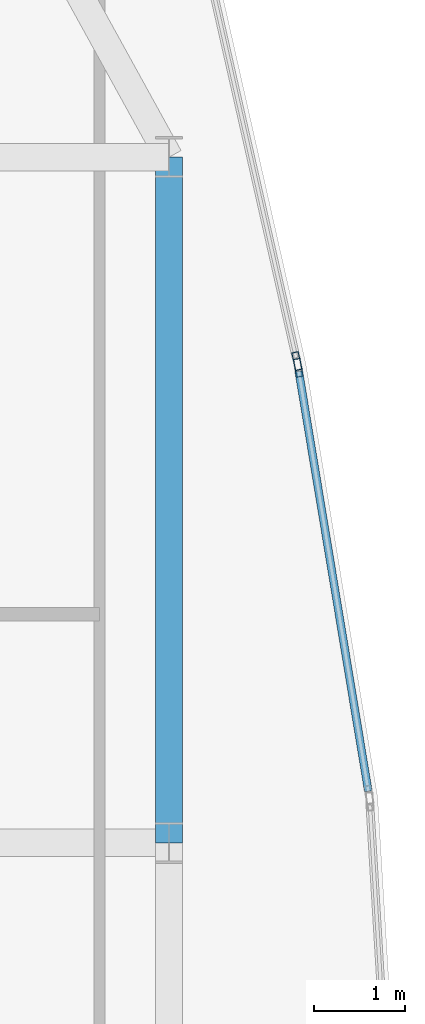
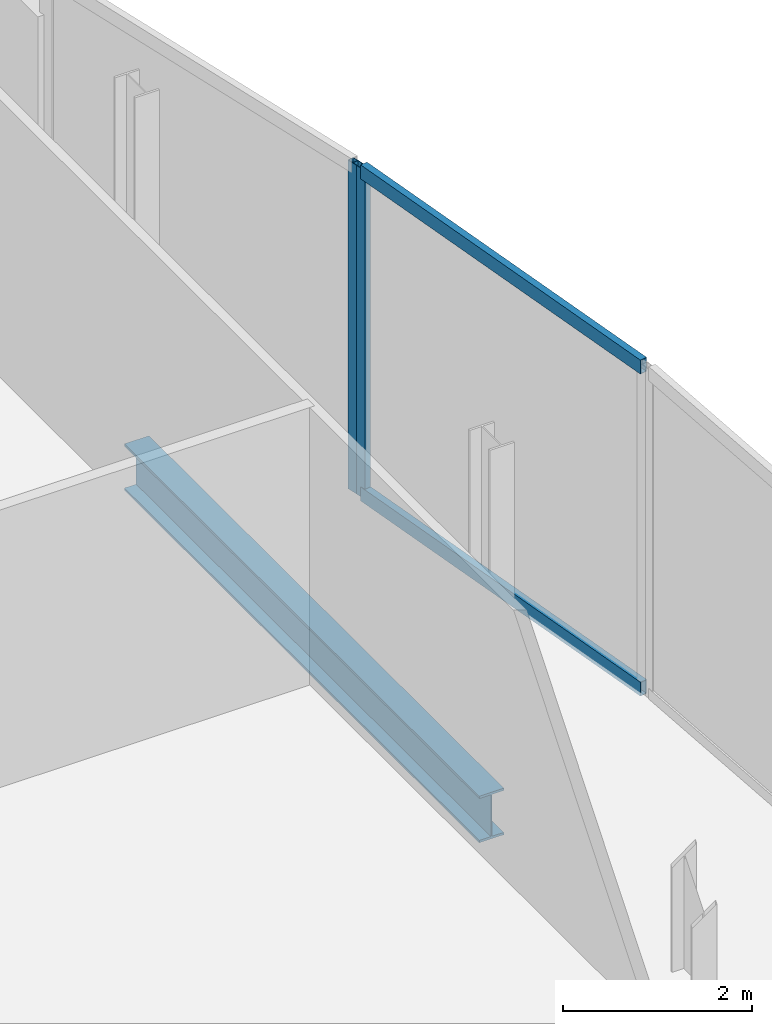
# One storey, part 19 of 28: 4 members, 1 beam, 2 elements without a shape of their own.
"""IFC4 building model written with IfcOpenShell, lengths in metres."""

from ifc_helpers import new_model, si_unit, direction, frame, origin, origin_2d, place, context, subcontext, project, spatial, hollow_rectangle, i_section, extrude, material, material_profile, profile_set, type_object, element, aggregate, save


model = new_model("IFC4")

# Units and contexts
model_context = context("Model", 3, precision=1e-05, world=origin(), true_north=direction((0.0, 1.0)))
body_context = subcontext(model_context, "Body", "Model", "MODEL_VIEW")
ifc_project = project(units=[si_unit("LENGTHUNIT", "METRE"), si_unit("AREAUNIT", "SQUARE_METRE"), si_unit("VOLUMEUNIT", "CUBIC_METRE"), si_unit("PLANEANGLEUNIT", "RADIAN"), si_unit("MASSUNIT", "GRAM", prefix="KILO")], contexts=[model_context])

# Site, building, storey
site_placement = place(None, origin())
site = spatial("IfcSite", under=ifc_project, at=site_placement, CompositionType="ELEMENT")
building_placement = place(site_placement, origin())
building = spatial("IfcBuilding", under=site, at=building_placement, Name="Khoronbel Lancet Exchange", CompositionType="ELEMENT")
storey_placement = place(building_placement, frame((0.0, 0.0, 265.39990234375)))
storey = spatial("IfcBuildingStorey", under=building, at=storey_placement, Name="L68", CompositionType="ELEMENT", Elevation=265.39990234375)

# Beam
ifc_material_1 = material(Name="Steel S355", Category="steel")
ifc_material_profile_1 = material_profile(ifc_material_1, i_section(OverallWidth=0.300048828125, OverallDepth=0.60009765625, WebThickness=0.015380859375, FlangeThickness=0.030029296875, at=origin_2d()), Name="HEB 600")
ifc_profile_set_1 = profile_set([ifc_material_profile_1], Name="Steel S355")
beam_type = type_object("IfcBeamType", Name="BM-BSP2", PredefinedType="SPANDREL", material=ifc_profile_set_1)
beam_placement = place(storey_placement, frame((63.6298828125, 35.699951171875, -0.5), z_axis=(0.0, 1.0, 0.0), x_axis=(-1.0, 0.0, 0.0)))
element("IfcBeam", 1, at=beam_placement, inside=storey, type_object=beam_type, Name="Level L68 perimeter spandrel beam SP14", PredefinedType="SPANDREL", context=body_context, shape_type="SweptSolid", body=[
    extrude(i_section(OverallWidth=0.300048828125, OverallDepth=0.60009765625, WebThickness=0.015380859375, FlangeThickness=0.030029296875, at=origin_2d()), origin(), (0.0, 0.0, 1.0), 7.5),
])

# Curtain wall, member
ifc_material_2 = material(Name="Low-E Solar Control Insulating Glass", Category="glass")
curtain_wall_type = type_object("IfcCurtainWallType", Name="CW-4", PredefinedType="NOTDEFINED", material=ifc_material_2)
curtain_wall_1_placement = place(storey_placement, origin())
curtain_wall_1 = element("IfcCurtainWall", 2, at=curtain_wall_1_placement, inside=storey, type_object=curtain_wall_type, Name="Unitised curtain wall CW-L68-E17", PredefinedType="NOTDEFINED")
ifc_material_3 = material(Name="Bronze-Anodised Aluminium 6063-T6", Category="aluminium")
ifc_material_profile_2 = material_profile(ifc_material_3, hollow_rectangle(XDim=0.074951171875, YDim=0.199951171875, WallThickness=0.0048828125, at=origin_2d()), Name="ALU MULLION 75x200")
ifc_profile_set_2 = profile_set([ifc_material_profile_2], Name="Bronze-Anodised Aluminium 6063-T6")
member_type_1 = type_object("IfcMemberType", Name="MEM-CWM2", PredefinedType="MULLION", material=ifc_profile_set_2)
member_1_placement = place(storey_placement, frame((65.0283203125, 40.96923828125, 0.0), z_axis=(0.0, 0.0, 1.0), x_axis=(0.97533545571, 0.220727770874, 0.0)))
member_1 = element("IfcMember", 3, at=member_1_placement, type_object=member_type_1, Name="CW4 mullion 2", PredefinedType="MULLION", context=body_context, shape_type="SweptSolid", body=[
    extrude(hollow_rectangle(XDim=0.074951171875, YDim=0.199951171875, WallThickness=0.0048828125, at=origin_2d()), origin(), (0.0, 0.0, 1.0), 4.239990234375),
])
aggregate(curtain_wall_1, [member_1])

# Curtain wall, members
curtain_wall_2_placement = place(storey_placement, origin())
curtain_wall_2 = element("IfcCurtainWall", 4, at=curtain_wall_2_placement, inside=storey, type_object=curtain_wall_type, Name="Unitised curtain wall CW-L68-E18", PredefinedType="NOTDEFINED")
member_2_placement = place(storey_placement, frame((65.042724609375, 40.895751953125, 0.0), z_axis=(0.0, 0.0, 1.0), x_axis=(0.986550884803, 0.163454433086, 0.0)))
member_2 = element("IfcMember", 5, at=member_2_placement, type_object=member_type_1, Name="CW4 mullion 1", PredefinedType="MULLION", context=body_context, shape_type="SweptSolid", body=[
    extrude(hollow_rectangle(XDim=0.074951171875, YDim=0.199951171875, WallThickness=0.0048828125, at=origin_2d()), origin(), (0.0, 0.0, 1.0), 4.239990234375),
])
ifc_material_profile_3 = material_profile(ifc_material_3, hollow_rectangle(XDim=0.0849609375, YDim=0.179931640625, WallThickness=0.0048828125, at=origin_2d()), Name="ALU TRANSOM 85x180")
ifc_profile_set_3 = profile_set([ifc_material_profile_3], Name="Bronze-Anodised Aluminium 6063-T6")
member_type_2 = type_object("IfcMemberType", Name="MEM-CWT1", PredefinedType="USERDEFINED", material=ifc_profile_set_3)
member_3_placement = place(storey_placement, frame((65.048828125, 40.858642578125, 0.04248046875), z_axis=(0.163446842715, -0.986552142366, 0.0), x_axis=(0.986552142366, 0.163446842715, 0.0)))
member_3 = element("IfcMember", 6, at=member_3_placement, type_object=member_type_2, Name="CW4 transom 1.1", ObjectType="TRANSOM", PredefinedType="USERDEFINED", context=body_context, shape_type="SweptSolid", body=[
    extrude(hollow_rectangle(XDim=0.0849609375, YDim=0.179931640625, WallThickness=0.0048828125, at=origin_2d()), origin(), (0.0, 0.0, 1.0), 4.657470703125),
])
member_4_placement = place(storey_placement, frame((65.048828125, 40.858642578125, 4.197509765625), z_axis=(0.163446842715, -0.986552142366, 0.0), x_axis=(0.986552142366, 0.163446842715, 0.0)))
member_4 = element("IfcMember", 7, at=member_4_placement, type_object=member_type_2, Name="CW4 transom 1.2", ObjectType="TRANSOM", PredefinedType="USERDEFINED", context=body_context, shape_type="SweptSolid", body=[
    extrude(hollow_rectangle(XDim=0.0849609375, YDim=0.179931640625, WallThickness=0.0048828125, at=origin_2d()), origin(), (0.0, 0.0, 1.0), 4.657470703125),
])
aggregate(curtain_wall_2, [member_2, member_3, member_4])

save(model, "model.ifc")
